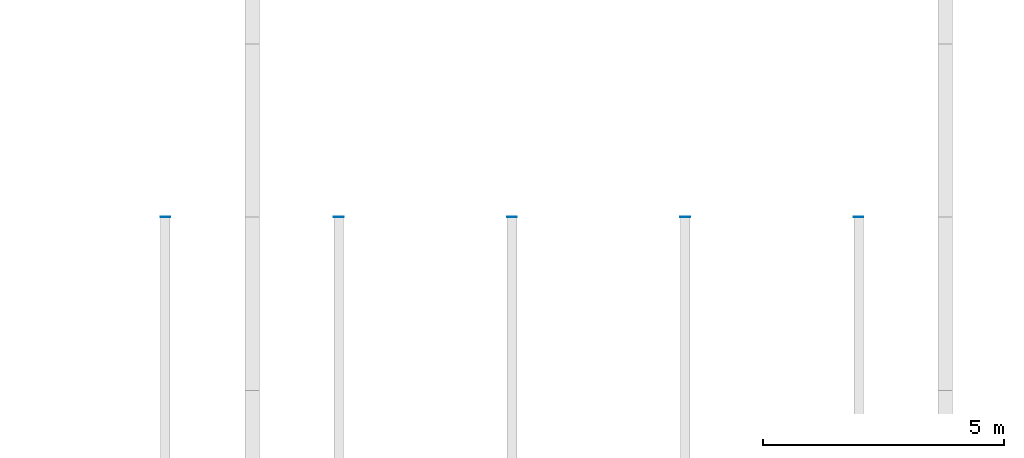
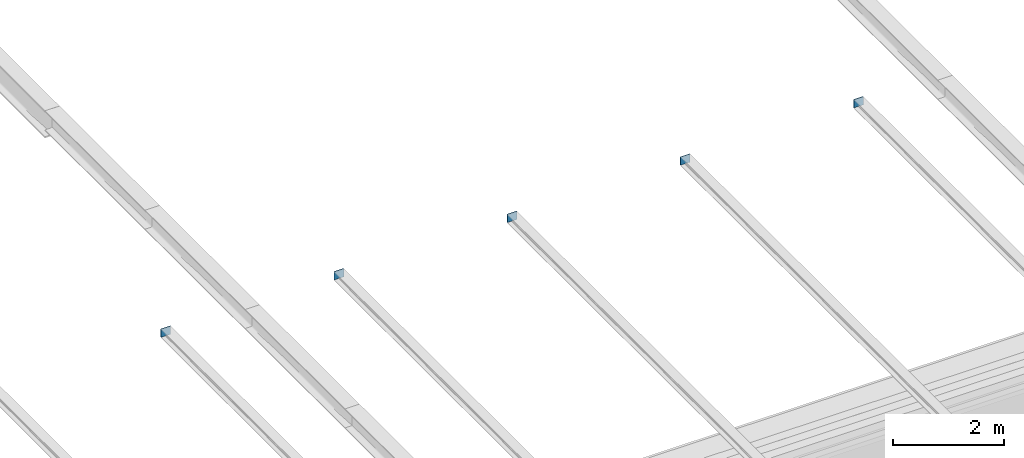
# One storey, part 52 of 110: 5 discrete accessories.
"""IFC4 building model written with IfcOpenShell, lengths in metres."""

from ifc_helpers import new_model, si_unit, direction, frame, origin, origin_2d, place, context, subcontext, project, spatial, rectangle, extrude, material, layer, layer_set, type_object, element, save


model = new_model("IFC4")

# Units and contexts
model_context = context("Model", 3, precision=1e-05, world=origin(), true_north=direction((0.0, 1.0)))
body_context = subcontext(model_context, "Body", "Model", "MODEL_VIEW")
ifc_project = project(units=[si_unit("LENGTHUNIT", "METRE"), si_unit("AREAUNIT", "SQUARE_METRE"), si_unit("VOLUMEUNIT", "CUBIC_METRE"), si_unit("PLANEANGLEUNIT", "RADIAN"), si_unit("MASSUNIT", "GRAM", prefix="KILO")], contexts=[model_context])

# Site, building, storey
site_placement = place(None, origin())
site = spatial("IfcSite", under=ifc_project, at=site_placement, CompositionType="ELEMENT")
building_placement = place(site_placement, origin())
building = spatial("IfcBuilding", under=site, at=building_placement, Name="Kupolbacken Congress Centre", CompositionType="ELEMENT")
storey_placement = place(building_placement, frame((0.0, 0.0, 18.0)))
storey = spatial("IfcBuildingStorey", under=building, at=storey_placement, Name="L05", CompositionType="ELEMENT", Elevation=18.0)

# Discrete accessories
ifc_material = material(Name="Steel S355", Category="steel")
ifc_layer = layer(ifc_material, 0.011962890625)
ifc_layer_set = layer_set([ifc_layer], Name="Steel S355")
discrete_accessory_type = type_object("IfcDiscreteAccessoryType", Name="BK3 bracket end plate 200 x 180 x 12", PredefinedType="BRACKET", material=ifc_layer_set)
for number, where, z_axis, x_axis, name in (
    (1, (106.199951171875, 50.406005859375, 3.60009765625), (0.0, 0.0, 1.0), (1.0, 0.0, 0.0), "Eave bracket end plate S06"),
    (2, (109.800048828125, 50.406005859375, 3.60009765625), (0.0, 0.0, 1.0), (1.0, 0.0, 0.0), "Eave bracket end plate S07"),
    (3, (113.39990234375, 50.406005859375, 3.60009765625), (0.0, 0.0, 1.0), (1.0, 0.0, 0.0), "Eave bracket end plate S08"),
    (4, (117.0, 50.406005859375, 3.60009765625), (0.0, 0.0, 1.0), (1.0, 0.0, 0.0), "Eave bracket end plate S09"),
    (5, (120.60009765625, 50.406005859375, 3.60009765625), (0.0, 0.0, 1.0), (1.0, 0.0, 0.0), "Eave bracket end plate S10"),
):
    element("IfcDiscreteAccessory", number, at=place(storey_placement, frame(where, z_axis=z_axis, x_axis=x_axis)), inside=storey, type_object=discrete_accessory_type, Name=name, PredefinedType="BRACKET", context=body_context, shape_type="SweptSolid", body=[
        extrude(rectangle(XDim=0.199951171875, YDim=0.011962890625, at=origin_2d()), origin(), (0.0, 0.0, 1.0), 0.179931640625),
    ])

save(model, "model.ifc")
